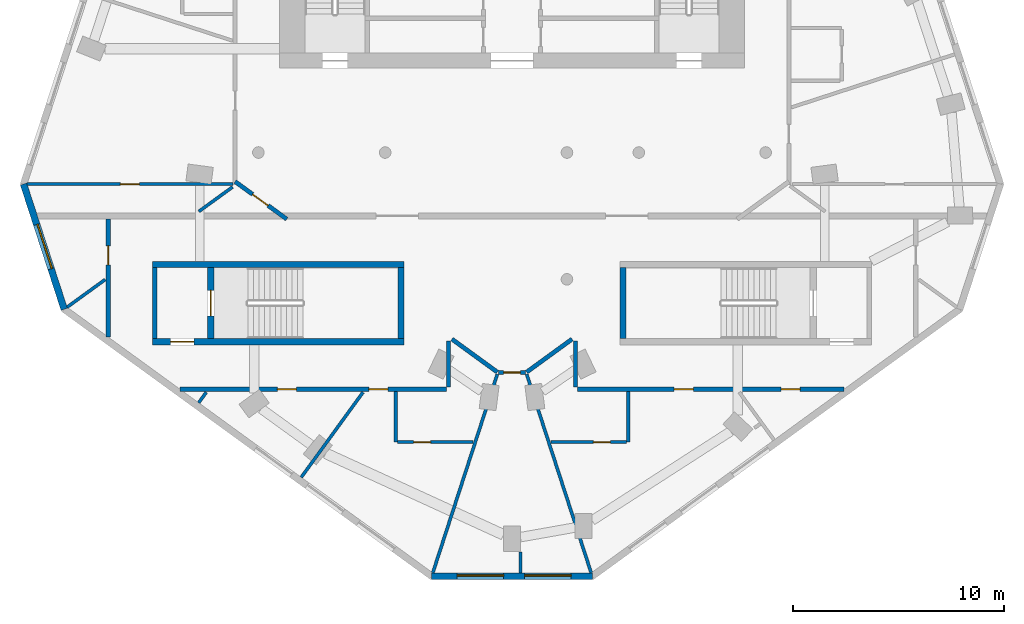
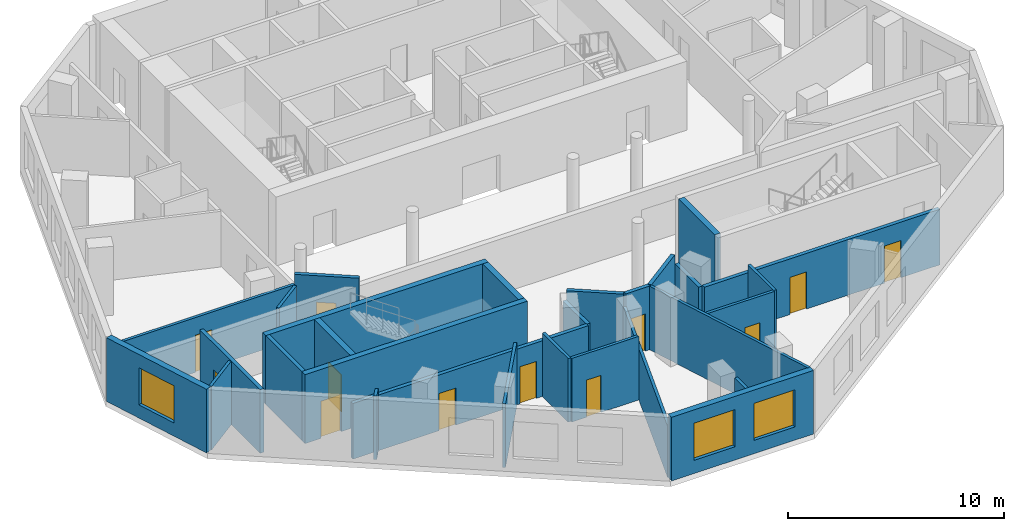
# One storey, part 2 of 8: 29 walls, 12 doors, 3 windows, 15 openings.
"""IFC4 building model written with IfcOpenShell, lengths in metres."""

import ifcopenshell
import ifcopenshell.guid

model = None  # the IFC model being written
_history = None  # IfcOwnerHistory: only IFC2X3 demands one
_inside = {}  # id of a spatial element -> (the spatial element, [elements in it])
_under = {}  # id of a project, library or spatial element -> (it, [spatial elements below it])
_declared = {}  # id of a project -> (the project, [libraries it declares])
_typed = {}  # id of a type object -> (the type object, [elements of that type])
_made_of = {}  # id of a material, layer set ... -> (it, [elements and type objects made of it])


def new_model(schema):
    """Start an empty IFC model of exactly this schema.

    Asked for "IFC4X3", IfcOpenShell would pick the latest addendum, in which some entities
    have other attributes; the version numbers below select the first issue.
    IFC2X3 requires an IfcOwnerHistory on every rooted entity: one is made here for all.
    """
    global model, _history
    if schema == "IFC4X3":
        model = ifcopenshell.file(schema_version=(4, 3, 0, 0))
    else:
        model = ifcopenshell.file(schema=schema)
    _inside.clear()
    _under.clear()
    _declared.clear()
    _typed.clear()
    _made_of.clear()
    _history = None
    if model.schema == "IFC2X3":
        org = make("IfcOrganization", Name="unknown")
        user = make(
            "IfcPersonAndOrganization",
            ThePerson=make("IfcPerson", FamilyName="unknown"),
            TheOrganization=org,
        )
        app = make(
            "IfcApplication",
            ApplicationDeveloper=org,
            Version="unknown",
            ApplicationFullName="unknown",
            ApplicationIdentifier="unknown",
        )
        _history = make(
            "IfcOwnerHistory",
            OwningUser=user,
            OwningApplication=app,
            ChangeAction="ADDED",
            CreationDate=0,
        )
    return model


def make(cls, **values):
    """One entity of the class cls with the attributes given. An attribute that is None is left unset."""
    return model.create_entity(
        cls, **{name: value for name, value in values.items() if value is not None}
    )


def rooted(cls, **values):
    """An entity with a GlobalId (a new one), such as an element, a storey or a relation."""
    return make(cls, GlobalId=ifcopenshell.guid.new(), OwnerHistory=_history, **values)


def si_unit(unit_type, name, prefix=None):
    """IfcSIUnit, for example si_unit("LENGTHUNIT", "METRE", prefix="MILLI")."""
    return make("IfcSIUnit", UnitType=unit_type, Prefix=prefix, Name=name)


def assignment(units):
    """IfcUnitAssignment: the units of a project."""
    return None if units is None else make("IfcUnitAssignment", Units=units)


def point(xyz):
    """IfcCartesianPoint."""
    return None if xyz is None else make("IfcCartesianPoint", Coordinates=xyz)


def direction(xyz):
    """IfcDirection."""
    return None if xyz is None else make("IfcDirection", DirectionRatios=xyz)


def frame(location, z_axis=None, x_axis=None):
    """IfcAxis2Placement3D, a coordinate frame: its origin and axes. An axis left out is left unset."""
    return make(
        "IfcAxis2Placement3D",
        Location=point(location),
        Axis=direction(z_axis),
        RefDirection=direction(x_axis),
    )


def frame_2d(location, x_axis=None):
    """IfcAxis2Placement2D, a coordinate frame in the plane: its origin and x axis."""
    return make(
        "IfcAxis2Placement2D", Location=point(location), RefDirection=direction(x_axis)
    )


def origin():
    """The frame at (0, 0, 0) with its axes left unset."""
    return frame((0.0, 0.0, 0.0))


def place(relative_to, where):
    """IfcLocalPlacement: puts the frame where relative to a parent placement (None: the world)."""
    return make(
        "IfcLocalPlacement", PlacementRelTo=relative_to, RelativePlacement=where
    )


def context(
    kind, dimensions, precision=None, world=None, true_north=None, identifier=None
):
    """IfcGeometricRepresentationContext, for example the 3D "Model" context."""
    return make(
        "IfcGeometricRepresentationContext",
        ContextIdentifier=identifier,
        ContextType=kind,
        CoordinateSpaceDimension=dimensions,
        Precision=precision,
        WorldCoordinateSystem=world,
        TrueNorth=true_north,
    )


def subcontext(parent, identifier, kind, view, scale=None):
    """IfcGeometricRepresentationSubContext, for example "Body" below "Model"."""
    return make(
        "IfcGeometricRepresentationSubContext",
        ContextIdentifier=identifier,
        ContextType=kind,
        ParentContext=parent,
        TargetScale=scale,
        TargetView=view,
    )


def project(units=None, contexts=None):
    """IfcProject with its units and contexts."""
    return rooted(
        "IfcProject",
        Name="project",
        RepresentationContexts=contexts,
        UnitsInContext=assignment(units),
    )


def spatial(cls, under=None, at=None, **own):
    """A site, building, storey or space (cls), placed at a placement, below another one or the project."""
    s = rooted(cls, ObjectPlacement=at, **own)
    if under is not None:
        _under.setdefault(under.id(), (under, []))[1].append(s)
    return s


def profile(cls, at=None, kind="AREA", **sizes):
    """A parametric profile (cls). Its sizes go by their IFC names, for example OverallWidth=200.0."""
    return make(cls, ProfileType=kind, Position=at, **sizes)


def rectangle(**sizes):
    """IfcRectangleProfileDef."""
    return profile("IfcRectangleProfileDef", **sizes)


def extrude(swept, where, along, depth):
    """IfcExtrudedAreaSolid: the profile swept, set in the frame where, extruded along a direction by depth."""
    return make(
        "IfcExtrudedAreaSolid",
        SweptArea=swept,
        Position=where,
        ExtrudedDirection=direction(along),
        Depth=depth,
    )


def shape(context_of_items, identifier, shape_type, items):
    """IfcShapeRepresentation: the items that make up one representation, for example the "Body"."""
    return make(
        "IfcShapeRepresentation",
        ContextOfItems=context_of_items,
        RepresentationIdentifier=identifier,
        RepresentationType=shape_type,
        Items=items,
    )


def material(Name=None, Category=None):
    """IfcMaterial."""
    return make("IfcMaterial", Name=Name, Category=Category)


def layer(
    of_material, thickness, ventilated=None, Name=None, Category=None, Priority=None
):
    """IfcMaterialLayer: one layer of a wall or slab, of a material (None: an air gap)."""
    return make(
        "IfcMaterialLayer",
        Material=of_material,
        LayerThickness=thickness,
        IsVentilated=ventilated,
        Name=Name,
        Category=Category,
        Priority=Priority,
    )


def layer_set(layers, Name=None):
    """IfcMaterialLayerSet."""
    return make("IfcMaterialLayerSet", MaterialLayers=layers, LayerSetName=Name)


def made_of(thing, what):
    """Note that an element or type object is made of a material, layer set ...; save() writes the relation."""
    if what is not None:
        _made_of.setdefault(what.id(), (what, []))[1].append(thing)
    return thing


def type_object(cls, material=None, **own):
    """A type object (cls), such as IfcWallType, which elements share."""
    return made_of(rooted(cls, **own), material)


def element(
    cls,
    number,
    at=None,
    inside=None,
    cuts=None,
    type_object=None,
    material=None,
    context=None,
    identifier="Body",
    shape_type=None,
    held_by="IfcProductDefinitionShape",
    body=None,
    shapes=None,
    **own,
):
    """One element of the class cls, such as IfcWall. Its Tag is "e" and its number.

    at: its placement. inside: the storey or other place that contains it. cuts: it is an
    opening in that element (IfcRelVoidsElement). A single representation is given by context,
    identifier, shape_type and body (its items); several are given by shapes. held_by: the class
    of the entity that holds the representations. save() writes the other relations.
    """
    e = rooted(cls, Tag="e%d" % number, ObjectPlacement=at, **own)
    if body is not None:
        shapes = [shape(context, identifier, shape_type, body)]
    if shapes is not None:
        e.Representation = make(held_by, Representations=shapes)
    if inside is not None:
        _inside.setdefault(inside.id(), (inside, []))[1].append(e)
    if cuts is not None:
        rooted(
            "IfcRelVoidsElement", RelatingBuildingElement=cuts, RelatedOpeningElement=e
        )
    if type_object is not None:
        _typed.setdefault(type_object.id(), (type_object, []))[1].append(e)
    return made_of(e, material)


def fill(opening, filler):
    """IfcRelFillsElement: the door or window that sits in an opening."""
    return rooted(
        "IfcRelFillsElement",
        RelatingOpeningElement=opening,
        RelatedBuildingElement=filler,
    )


def aggregate(whole, parts):
    """IfcRelAggregates: a whole, such as a stair, and the parts it consists of."""
    return rooted("IfcRelAggregates", RelatingObject=whole, RelatedObjects=parts)


def save(model, path):
    """Write the relations noted so far, then the file.

    IfcRelAggregates (storeys below a building ...), IfcRelContainedInSpatialStructure (elements
    in a storey), IfcRelDefinesByType, IfcRelAssociatesMaterial and IfcRelDeclares: one each for
    every whole, place, type object, material and project.
    """
    for whole, parts in _under.values():
        aggregate(whole, parts)
    for where, things in _inside.values():
        rooted(
            "IfcRelContainedInSpatialStructure",
            RelatedElements=things,
            RelatingStructure=where,
        )
    for kind, things in _typed.values():
        rooted("IfcRelDefinesByType", RelatedObjects=things, RelatingType=kind)
    for what, things in _made_of.values():
        rooted("IfcRelAssociatesMaterial", RelatedObjects=things, RelatingMaterial=what)
    for by, libraries in _declared.values():
        rooted("IfcRelDeclares", RelatingContext=by, RelatedDefinitions=libraries)
    model.write(path)


model = new_model("IFC4")

# Units and contexts
model_context = context("Model", 3, precision=1e-05, world=origin(), true_north=direction((0.0, 1.0)))
body_context = subcontext(model_context, "Body", "Model", "MODEL_VIEW")
ifc_project = project(units=[si_unit("LENGTHUNIT", "METRE"), si_unit("AREAUNIT", "SQUARE_METRE"), si_unit("VOLUMEUNIT", "CUBIC_METRE"), si_unit("PLANEANGLEUNIT", "RADIAN"), si_unit("MASSUNIT", "GRAM", prefix="KILO")], contexts=[model_context])

# Site, building, storey
site_placement = place(None, origin())
site = spatial("IfcSite", under=ifc_project, at=site_placement, CompositionType="ELEMENT")
building_placement = place(site_placement, origin())
building = spatial("IfcBuilding", under=site, at=building_placement, Name="White Candle Pilgrim Tower", CompositionType="ELEMENT")
storey_placement = place(building_placement, frame((0.0, 0.0, 279.5)))
storey = spatial("IfcBuildingStorey", under=building, at=storey_placement, Name="L66", CompositionType="ELEMENT", Elevation=279.5)

# Wall
ifc_material_1 = material(Name="Concrete C50/60", Category="concrete")
ifc_layer_1 = layer(ifc_material_1, 0.199951171875)
ifc_layer_set_1 = layer_set([ifc_layer_1], Name="Core wall 200 mm Concrete C50/60")
wall_type_1 = type_object("IfcWallType", Name="Core wall 200 mm Concrete C50/60", PredefinedType="SHEAR", material=ifc_layer_set_1)
wall_1_placement = place(storey_placement, frame((53.10009765625, 58.199951171875, 0.0), z_axis=(0.0, 0.0, 1.0), x_axis=(0.0, 1.0, 0.0)))
element("IfcWall", 1, at=wall_1_placement, inside=storey, type_object=wall_type_1, Name="WL-L66-C03", PredefinedType="SHEAR", context=body_context, shape_type="SweptSolid", body=[
    extrude(rectangle(XDim=3.35009765625, YDim=0.199951171875, at=frame_2d((1.675048828125, 0.0))), origin(), (0.0, 0.0, 1.0), 3.89990234375),
])

# Wall, opening, door
ifc_material_2 = material(Name="Gypsum board on steel studs", Category="steel")
ifc_layer_2 = layer(ifc_material_2, 0.199951171875)
ifc_layer_set_2 = layer_set([ifc_layer_2], Name="Corridor wall 200 mm EI 45")
wall_type_2 = type_object("IfcWallType", Name="Corridor wall 200 mm EI 45", PredefinedType="PARTITIONING", material=ifc_layer_set_2)
wall_2_placement = place(storey_placement, frame((59.342041015625, 63.85009765625, 0.0), z_axis=(0.0, 0.0, 1.0), x_axis=(-0.809040258859, 0.587753230144, 0.0)))
wall_2 = element("IfcWall", 2, at=wall_2_placement, inside=storey, type_object=wall_type_2, Name="WL-L66-P002", PredefinedType="PARTITIONING", context=body_context, shape_type="SweptSolid", body=[
    extrude(rectangle(XDim=3.0185546875, YDim=0.199951171875, at=frame_2d((1.50927734375, 0.0))), origin(), (0.0, 0.0, 1.0), 3.60009765625),
])
opening_1_placement = place(wall_2_placement, frame((1.092041015625, 0.0, 0.0)))
opening_1 = element("IfcOpeningElement", 3, at=opening_1_placement, cuts=wall_2, Name="Opening T20-123", PredefinedType="OPENING", context=body_context, shape_type="SweptSolid", body=[
    extrude(rectangle(XDim=0.89990234375, YDim=2.10009765625, at=frame_2d((0.449951171875, 1.050048828125))), frame((0.0, 0.10986328125, 0.0), z_axis=(0.0, -1.0, 0.0), x_axis=(1.0, 0.0, 0.0)), (0.0, 0.0, 1.0), 0.219970703125),
])
ifc_material_3 = material(Name="Steel door leaf", Category="steel")
door_type_1 = type_object("IfcDoorType", Name="Fire door 900 x 2100 EI 30", OperationType="NOTDEFINED", PredefinedType="DOOR", material=ifc_material_3)
door_1_placement = place(opening_1_placement, origin())
door_1 = element("IfcDoor", 4, at=door_1_placement, inside=storey, type_object=door_type_1, Name="Door T20-123", OperationType="SINGLE_SWING_LEFT", OverallHeight=2.10009765625, OverallWidth=0.89990234375, PredefinedType="DOOR", context=body_context, shape_type="SweptSolid", body=[
    extrude(rectangle(XDim=0.89990234375, YDim=2.10009765625, at=frame_2d((0.449951171875, 1.050048828125))), frame((0.0, 0.02490234375, 0.0), z_axis=(0.0, -1.0, 0.0), x_axis=(1.0, 0.0, 0.0)), (0.0, 0.0, 1.0), 0.050048828125),
])
fill(opening_1, door_1)

# Wall, openings, doors
wall_3_placement = place(storey_placement, frame((85.706298828125, 55.800048828125, 0.0), z_axis=(0.0, 0.0, 1.0), x_axis=(-1.0, 0.0, 0.0)))
wall_3 = element("IfcWall", 5, at=wall_3_placement, inside=storey, type_object=wall_type_2, Name="WL-L66-P007", PredefinedType="PARTITIONING", context=body_context, shape_type="SweptSolid", body=[
    extrude(rectangle(XDim=12.606201171875, YDim=0.199951171875, at=frame_2d((6.30322265625, 0.0))), origin(), (0.0, 0.0, 1.0), 3.14990234375),
])
opening_2_placement = place(wall_3_placement, frame((7.1298828125, 0.0, 0.0)))
opening_2 = element("IfcOpeningElement", 6, at=opening_2_placement, cuts=wall_3, Name="Opening T20-107", PredefinedType="OPENING", context=body_context, shape_type="SweptSolid", body=[
    extrude(rectangle(XDim=0.89990234375, YDim=2.10009765625, at=frame_2d((0.449951171875, 1.050048828125))), frame((0.0, 0.10986328125, 0.0), z_axis=(0.0, -1.0, 0.0), x_axis=(1.0, 0.0, 0.0)), (0.0, 0.0, 1.0), 0.219970703125),
])
opening_3_placement = place(wall_3_placement, frame((2.076904296875, 0.0, 0.0)))
opening_3 = element("IfcOpeningElement", 7, at=opening_3_placement, cuts=wall_3, Name="Opening T20-108", PredefinedType="OPENING", context=body_context, shape_type="SweptSolid", body=[
    extrude(rectangle(XDim=0.89990234375, YDim=2.10009765625, at=frame_2d((0.449951171875, 1.050048828125))), frame((0.0, 0.10986328125, 0.0), z_axis=(0.0, -1.0, 0.0), x_axis=(1.0, 0.0, 0.0)), (0.0, 0.0, 1.0), 0.219970703125),
])
door_2_placement = place(opening_2_placement, origin())
door_2 = element("IfcDoor", 8, at=door_2_placement, inside=storey, type_object=door_type_1, Name="Door T20-107", OperationType="SINGLE_SWING_LEFT", OverallHeight=2.10009765625, OverallWidth=0.89990234375, PredefinedType="DOOR", context=body_context, shape_type="SweptSolid", body=[
    extrude(rectangle(XDim=0.89990234375, YDim=2.10009765625, at=frame_2d((0.449951171875, 1.050048828125))), frame((0.0, 0.02490234375, 0.0), z_axis=(0.0, -1.0, 0.0), x_axis=(1.0, 0.0, 0.0)), (0.0, 0.0, 1.0), 0.050048828125),
])
fill(opening_2, door_2)
door_3_placement = place(opening_3_placement, origin())
door_3 = element("IfcDoor", 9, at=door_3_placement, inside=storey, type_object=door_type_1, Name="Door T20-108", OperationType="SINGLE_SWING_RIGHT", OverallHeight=2.10009765625, OverallWidth=0.89990234375, PredefinedType="DOOR", context=body_context, shape_type="SweptSolid", body=[
    extrude(rectangle(XDim=0.89990234375, YDim=2.10009765625, at=frame_2d((0.449951171875, 1.050048828125))), frame((0.0, 0.02490234375, 0.0), z_axis=(0.0, -1.0, 0.0), x_axis=(1.0, 0.0, 0.0)), (0.0, 0.0, 1.0), 0.050048828125),
])
fill(opening_3, door_3)

# Walls
wall_4_placement = place(storey_placement, frame((73.0, 55.89990234375, 0.0), z_axis=(0.0, 0.0, 1.0), x_axis=(0.0, 1.0, 0.0)))
element("IfcWall", 10, at=wall_4_placement, inside=storey, type_object=wall_type_2, Name="WL-L66-P008", PredefinedType="PARTITIONING", context=body_context, shape_type="SweptSolid", body=[
    extrude(rectangle(XDim=2.190185546875, YDim=0.199951171875, at=frame_2d((1.09521484375, 0.0))), origin(), (0.0, 0.0, 1.0), 3.10009765625),
])
wall_5_placement = place(storey_placement, frame((72.84130859375, 58.1708984375, 0.0), z_axis=(0.0, 0.0, 1.0), x_axis=(-0.809034251868, -0.587761498657, 0.0)))
element("IfcWall", 11, at=wall_5_placement, inside=storey, type_object=wall_type_2, Name="WL-L66-P009", PredefinedType="PARTITIONING", context=body_context, shape_type="SweptSolid", body=[
    extrude(rectangle(XDim=2.654541015625, YDim=0.199951171875, at=frame_2d((1.3271484375, 0.0))), origin(), (0.0, 0.0, 1.0), 3.60009765625),
])

# Wall, opening, door
wall_6_placement = place(storey_placement, frame((70.635009765625, 56.591552734375, 0.0), z_axis=(0.0, 0.0, 1.0), x_axis=(-1.0, 0.0, 0.0)))
wall_6 = element("IfcWall", 12, at=wall_6_placement, inside=storey, type_object=wall_type_2, Name="WL-L66-P010", PredefinedType="PARTITIONING", context=body_context, shape_type="SweptSolid", body=[
    extrude(rectangle(XDim=1.27001953125, YDim=0.199951171875, at=frame_2d((0.635009765625, 0.0))), origin(), (0.0, 0.0, 1.0), 3.60009765625),
])
opening_4_placement = place(wall_6_placement, frame((0.23486328125, 0.0, 0.0)))
opening_4 = element("IfcOpeningElement", 13, at=opening_4_placement, cuts=wall_6, Name="Opening T20-105", PredefinedType="OPENING", context=body_context, shape_type="SweptSolid", body=[
    extrude(rectangle(XDim=0.800048828125, YDim=2.10009765625, at=frame_2d((0.39990234375, 1.050048828125))), frame((0.0, 0.10986328125, 0.0), z_axis=(0.0, -1.0, 0.0), x_axis=(1.0, 0.0, 0.0)), (0.0, 0.0, 1.0), 0.219970703125),
])
door_type_2 = type_object("IfcDoorType", Name="Fire door 800 x 2100 EI 30", OperationType="NOTDEFINED", PredefinedType="DOOR", material=ifc_material_3)
door_4_placement = place(opening_4_placement, origin())
door_4 = element("IfcDoor", 14, at=door_4_placement, inside=storey, type_object=door_type_2, Name="Door T20-105", OperationType="SINGLE_SWING_LEFT", OverallHeight=2.10009765625, OverallWidth=0.800048828125, PredefinedType="DOOR", context=body_context, shape_type="SweptSolid", body=[
    extrude(rectangle(XDim=0.800048828125, YDim=2.10009765625, at=frame_2d((0.39990234375, 1.050048828125))), frame((0.0, 0.02490234375, 0.0), z_axis=(0.0, -1.0, 0.0), x_axis=(1.0, 0.0, 0.0)), (0.0, 0.0, 1.0), 0.050048828125),
])
fill(opening_4, door_4)

# Walls
wall_7_placement = place(storey_placement, frame((69.306396484375, 56.610595703125, 0.0), z_axis=(0.0, 0.0, 1.0), x_axis=(-0.809034251868, 0.587761498657, 0.0)))
element("IfcWall", 15, at=wall_7_placement, inside=storey, type_object=wall_type_2, Name="WL-L66-P011", PredefinedType="PARTITIONING", context=body_context, shape_type="SweptSolid", body=[
    extrude(rectangle(XDim=2.654541015625, YDim=0.199951171875, at=frame_2d((1.3271484375, 0.0))), origin(), (0.0, 0.0, 1.0), 3.60009765625),
])
wall_8_placement = place(storey_placement, frame((67.0, 58.090087890625, 0.0), z_axis=(0.0, 0.0, 1.0), x_axis=(0.0, -1.0, 0.0)))
element("IfcWall", 16, at=wall_8_placement, inside=storey, type_object=wall_type_2, Name="WL-L66-P012", PredefinedType="PARTITIONING", context=body_context, shape_type="SweptSolid", body=[
    extrude(rectangle(XDim=2.190185546875, YDim=0.199951171875, at=frame_2d((1.09521484375, 0.0))), origin(), (0.0, 0.0, 1.0), 3.10009765625),
])

# Wall, openings, doors
wall_9_placement = place(storey_placement, frame((66.89990234375, 55.800048828125, 0.0), z_axis=(0.0, 0.0, 1.0), x_axis=(-1.0, 0.0, 0.0)))
wall_9 = element("IfcWall", 17, at=wall_9_placement, inside=storey, type_object=wall_type_2, Name="WL-L66-P013", PredefinedType="PARTITIONING", context=body_context, shape_type="SweptSolid", body=[
    extrude(rectangle(XDim=12.606201171875, YDim=0.199951171875, at=frame_2d((6.30322265625, 0.0))), origin(), (0.0, 0.0, 1.0), 3.14990234375),
])
opening_5_placement = place(wall_9_placement, frame((7.1025390625, 0.0, 0.0)))
opening_5 = element("IfcOpeningElement", 18, at=opening_5_placement, cuts=wall_9, Name="Opening T20-102", PredefinedType="OPENING", context=body_context, shape_type="SweptSolid", body=[
    extrude(rectangle(XDim=0.89990234375, YDim=2.10009765625, at=frame_2d((0.449951171875, 1.050048828125))), frame((0.0, 0.10986328125, 0.0), z_axis=(0.0, -1.0, 0.0), x_axis=(1.0, 0.0, 0.0)), (0.0, 0.0, 1.0), 0.219970703125),
])
opening_6_placement = place(wall_9_placement, frame((2.7744140625, 0.0, 0.0)))
opening_6 = element("IfcOpeningElement", 19, at=opening_6_placement, cuts=wall_9, Name="Opening T20-104", PredefinedType="OPENING", context=body_context, shape_type="SweptSolid", body=[
    extrude(rectangle(XDim=0.89990234375, YDim=2.10009765625, at=frame_2d((0.449951171875, 1.050048828125))), frame((0.0, 0.10986328125, 0.0), z_axis=(0.0, -1.0, 0.0), x_axis=(1.0, 0.0, 0.0)), (0.0, 0.0, 1.0), 0.219970703125),
])
door_5_placement = place(opening_5_placement, origin())
door_5 = element("IfcDoor", 20, at=door_5_placement, inside=storey, type_object=door_type_1, Name="Door T20-102", OperationType="SINGLE_SWING_RIGHT", OverallHeight=2.10009765625, OverallWidth=0.89990234375, PredefinedType="DOOR", context=body_context, shape_type="SweptSolid", body=[
    extrude(rectangle(XDim=0.89990234375, YDim=2.10009765625, at=frame_2d((0.449951171875, 1.050048828125))), frame((0.0, 0.02490234375, 0.0), z_axis=(0.0, -1.0, 0.0), x_axis=(1.0, 0.0, 0.0)), (0.0, 0.0, 1.0), 0.050048828125),
])
fill(opening_5, door_5)
door_6_placement = place(opening_6_placement, origin())
door_6 = element("IfcDoor", 21, at=door_6_placement, inside=storey, type_object=door_type_1, Name="Door T20-104", OperationType="SINGLE_SWING_RIGHT", OverallHeight=2.10009765625, OverallWidth=0.89990234375, PredefinedType="DOOR", context=body_context, shape_type="SweptSolid", body=[
    extrude(rectangle(XDim=0.89990234375, YDim=2.10009765625, at=frame_2d((0.449951171875, 1.050048828125))), frame((0.0, 0.02490234375, 0.0), z_axis=(0.0, -1.0, 0.0), x_axis=(1.0, 0.0, 0.0)), (0.0, 0.0, 1.0), 0.050048828125),
])
fill(opening_6, door_6)

# Wall, opening, door
wall_10_placement = place(storey_placement, frame((50.89990234375, 58.265625, 0.0), z_axis=(0.0, 0.0, 1.0), x_axis=(0.0, 1.0, 0.0)))
wall_10 = element("IfcWall", 22, at=wall_10_placement, inside=storey, type_object=wall_type_2, Name="WL-L66-P014", PredefinedType="PARTITIONING", context=body_context, shape_type="SweptSolid", body=[
    extrude(rectangle(XDim=5.58447265625, YDim=0.199951171875, at=frame_2d((2.792236328125, 0.0))), origin(), (0.0, 0.0, 1.0), 3.60009765625),
])
opening_7_placement = place(wall_10_placement, frame((3.41943359375, 0.0, 0.0)))
opening_7 = element("IfcOpeningElement", 23, at=opening_7_placement, cuts=wall_10, Name="Opening T20-113", PredefinedType="OPENING", context=body_context, shape_type="SweptSolid", body=[
    extrude(rectangle(XDim=0.89990234375, YDim=2.10009765625, at=frame_2d((0.449951171875, 1.050048828125))), frame((0.0, 0.10986328125, 0.0), z_axis=(0.0, -1.0, 0.0), x_axis=(1.0, 0.0, 0.0)), (0.0, 0.0, 1.0), 0.219970703125),
])
door_7_placement = place(opening_7_placement, origin())
door_7 = element("IfcDoor", 24, at=door_7_placement, inside=storey, type_object=door_type_1, Name="Door T20-113", OperationType="SINGLE_SWING_LEFT", OverallHeight=2.10009765625, OverallWidth=0.89990234375, PredefinedType="DOOR", context=body_context, shape_type="SweptSolid", body=[
    extrude(rectangle(XDim=0.89990234375, YDim=2.10009765625, at=frame_2d((0.449951171875, 1.050048828125))), frame((0.0, 0.02490234375, 0.0), z_axis=(0.0, -1.0, 0.0), x_axis=(1.0, 0.0, 0.0)), (0.0, 0.0, 1.0), 0.050048828125),
])
fill(opening_7, door_7)

# Wall, opening, window
ifc_material_4 = material(Name="Precast concrete C40/50", Category="concrete")
ifc_layer_3 = layer(ifc_material_4, 0.320068359375)
ifc_layer_set_3 = layer_set([ifc_layer_3], Name="Facade wall EW1 precast concrete C40/50 pier wall with timber-lined reveals")
wall_type_3 = type_object("IfcWallType", Name="Facade wall EW1 precast concrete C40/50 pier wall with timber-lined reveals", PredefinedType="SOLIDWALL", material=ifc_layer_set_3)
wall_11_placement = place(storey_placement, frame((46.8896484375, 65.50634765625, 0.0), z_axis=(0.0, 0.0, 1.0), x_axis=(0.309021364513, -0.95105509634, 0.0)))
wall_11 = element("IfcWall", 25, at=wall_11_placement, inside=storey, type_object=wall_type_3, Name="Facade wall L66 W chamfer", PredefinedType="SOLIDWALL", context=body_context, shape_type="SweptSolid", body=[
    extrude(rectangle(XDim=6.22802734375, YDim=0.320068359375, at=frame_2d((3.114013671875, 0.0))), origin(), (0.0, 0.0, 1.0), 3.60009765625),
])
opening_8_placement = place(wall_11_placement, frame((2.013916015625, 0.0, 0.75)))
opening_8 = element("IfcOpeningElement", 26, at=opening_8_placement, cuts=wall_11, Name="Opening W4", PredefinedType="OPENING", context=body_context, shape_type="SweptSolid", body=[
    extrude(rectangle(XDim=2.199951171875, YDim=2.10009765625, at=frame_2d((1.10009765625, 1.050048828125))), frame((0.0, 0.169921875, 0.0), z_axis=(0.0, -1.0, 0.0), x_axis=(1.0, 0.0, 0.0)), (0.0, 0.0, 1.0), 0.340087890625),
])
ifc_material_5 = material(Name="Timber frame with triple glazing", Category="wood")
window_type = type_object("IfcWindowType", Name="Window W4 2200x2100 timber frame triple glazing", PartitioningType="SINGLE_PANEL", PredefinedType="WINDOW", material=ifc_material_5)
window_1_placement = place(opening_8_placement, origin())
window_1 = element("IfcWindow", 27, at=window_1_placement, inside=storey, type_object=window_type, Name="Window W4 L66 W chamfer 1", OverallHeight=2.10009765625, OverallWidth=2.199951171875, PartitioningType="SINGLE_PANEL", PredefinedType="WINDOW", context=body_context, shape_type="SweptSolid", body=[
    extrude(rectangle(XDim=2.199951171875, YDim=2.10009765625, at=frame_2d((1.10009765625, 1.050048828125))), frame((0.0, 0.070068359375, 0.0), z_axis=(0.0, -1.0, 0.0), x_axis=(1.0, 0.0, 0.0)), (0.0, 0.0, 1.0), 0.06005859375),
])
fill(opening_8, window_1)

# Wall, openings, windows
wall_12_placement = place(storey_placement, frame((66.200439453125, 46.951416015625, 0.0), z_axis=(0.0, 0.0, 1.0), x_axis=(1.0, 0.0, 0.0)))
wall_12 = element("IfcWall", 28, at=wall_12_placement, inside=storey, type_object=wall_type_3, Name="Facade wall L66 S chamfer", PredefinedType="SOLIDWALL", context=body_context, shape_type="SweptSolid", body=[
    extrude(rectangle(XDim=7.59912109375, YDim=0.320068359375, at=frame_2d((3.799560546875, 0.0))), origin(), (0.0, 0.0, 1.0), 3.60009765625),
])
opening_9_placement = place(wall_12_placement, frame((1.19970703125, 0.0, 0.75)))
opening_9 = element("IfcOpeningElement", 29, at=opening_9_placement, cuts=wall_12, Name="Opening W4", PredefinedType="OPENING", context=body_context, shape_type="SweptSolid", body=[
    extrude(rectangle(XDim=2.199951171875, YDim=2.10009765625, at=frame_2d((1.10009765625, 1.050048828125))), frame((0.0, 0.169921875, 0.0), z_axis=(0.0, -1.0, 0.0), x_axis=(1.0, 0.0, 0.0)), (0.0, 0.0, 1.0), 0.340087890625),
])
opening_10_placement = place(wall_12_placement, frame((4.399658203125, 0.0, 0.75)))
opening_10 = element("IfcOpeningElement", 30, at=opening_10_placement, cuts=wall_12, Name="Opening W4", PredefinedType="OPENING", context=body_context, shape_type="SweptSolid", body=[
    extrude(rectangle(XDim=2.199951171875, YDim=2.10009765625, at=frame_2d((1.10009765625, 1.050048828125))), frame((0.0, 0.169921875, 0.0), z_axis=(0.0, -1.0, 0.0), x_axis=(1.0, 0.0, 0.0)), (0.0, 0.0, 1.0), 0.340087890625),
])
window_2_placement = place(opening_9_placement, origin())
window_2 = element("IfcWindow", 31, at=window_2_placement, inside=storey, type_object=window_type, Name="Window W4 L66 S chamfer 1", OverallHeight=2.10009765625, OverallWidth=2.199951171875, PartitioningType="SINGLE_PANEL", PredefinedType="WINDOW", context=body_context, shape_type="SweptSolid", body=[
    extrude(rectangle(XDim=2.199951171875, YDim=2.10009765625, at=frame_2d((1.10009765625, 1.050048828125))), frame((0.0, 0.070068359375, 0.0), z_axis=(0.0, -1.0, 0.0), x_axis=(1.0, 0.0, 0.0)), (0.0, 0.0, 1.0), 0.06005859375),
])
fill(opening_9, window_2)
window_3_placement = place(opening_10_placement, origin())
window_3 = element("IfcWindow", 32, at=window_3_placement, inside=storey, type_object=window_type, Name="Window W4 L66 S chamfer 2", OverallHeight=2.10009765625, OverallWidth=2.199951171875, PartitioningType="SINGLE_PANEL", PredefinedType="WINDOW", context=body_context, shape_type="SweptSolid", body=[
    extrude(rectangle(XDim=2.199951171875, YDim=2.10009765625, at=frame_2d((1.10009765625, 1.050048828125))), frame((0.0, 0.070068359375, 0.0), z_axis=(0.0, -1.0, 0.0), x_axis=(1.0, 0.0, 0.0)), (0.0, 0.0, 1.0), 0.06005859375),
])
fill(opening_10, window_3)

# Wall, opening, door
ifc_layer_4 = layer(ifc_material_2, 0.14990234375)
ifc_layer_set_4 = layer_set([ifc_layer_4], Name="Partition 150 mm EI 60")
wall_type_4 = type_object("IfcWallType", Name="Partition 150 mm EI 60", PredefinedType="PARTITIONING", material=ifc_layer_set_4)
wall_13_placement = place(storey_placement, frame((47.05810546875, 65.506103515625, 0.0), z_axis=(0.0, 0.0, 1.0), x_axis=(1.0, 0.0, 0.0)))
wall_13 = element("IfcWall", 33, at=wall_13_placement, inside=storey, type_object=wall_type_4, Name="WL-L66-P016", PredefinedType="PARTITIONING", context=body_context, shape_type="SweptSolid", body=[
    extrude(rectangle(XDim=9.741943359375, YDim=0.14990234375, at=frame_2d((4.87109375, 0.0))), origin(), (0.0, 0.0, 1.0), 3.10009765625),
])
opening_11_placement = place(wall_13_placement, frame((4.4130859375, 0.0, 0.0)))
opening_11 = element("IfcOpeningElement", 34, at=opening_11_placement, cuts=wall_13, Name="Opening T20-124", PredefinedType="OPENING", context=body_context, shape_type="SweptSolid", body=[
    extrude(rectangle(XDim=0.89990234375, YDim=2.10009765625, at=frame_2d((0.449951171875, 1.050048828125))), frame((0.0, 0.0849609375, 0.0), z_axis=(0.0, -1.0, 0.0), x_axis=(1.0, 0.0, 0.0)), (0.0, 0.0, 1.0), 0.169921875),
])
door_8_placement = place(opening_11_placement, frame((0.89990234375, 0.0, 0.0), z_axis=(0.0, 0.0, 1.0), x_axis=(-1.0, 0.0, 0.0)))
door_8 = element("IfcDoor", 35, at=door_8_placement, inside=storey, type_object=door_type_1, Name="Door T20-124", OperationType="SINGLE_SWING_LEFT", OverallHeight=2.10009765625, OverallWidth=0.89990234375, PredefinedType="DOOR", context=body_context, shape_type="SweptSolid", body=[
    extrude(rectangle(XDim=0.89990234375, YDim=2.10009765625, at=frame_2d((0.449951171875, 1.050048828125))), frame((0.0, 0.02490234375, 0.0), z_axis=(0.0, -1.0, 0.0), x_axis=(1.0, 0.0, 0.0)), (0.0, 0.0, 1.0), 0.050048828125),
])
fill(opening_11, door_8)

# Walls
wall_14_placement = place(storey_placement, frame((48.9501953125, 59.68212890625, 0.0), z_axis=(0.0, 0.0, 1.0), x_axis=(0.809043446495, 0.58774884235, 0.0)))
element("IfcWall", 36, at=wall_14_placement, inside=storey, type_object=wall_type_4, Name="WL-L66-P017", PredefinedType="PARTITIONING", context=body_context, shape_type="SweptSolid", body=[
    extrude(rectangle(XDim=2.23193359375, YDim=0.14990234375, at=frame_2d((1.115966796875, 0.0))), origin(), (0.0, 0.0, 1.0), 3.60009765625),
])
wall_15_placement = place(storey_placement, frame((55.183349609375, 64.210693359375, 0.0), z_axis=(0.0, 0.0, 1.0), x_axis=(0.80900885131, 0.587796460097, 0.0)))
element("IfcWall", 37, at=wall_15_placement, inside=storey, type_object=wall_type_4, Name="WL-L66-P018", PredefinedType="PARTITIONING", context=body_context, shape_type="SweptSolid", body=[
    extrude(rectangle(XDim=1.973388671875, YDim=0.14990234375, at=frame_2d((0.98681640625, 0.0))), origin(), (0.0, 0.0, 1.0), 3.10009765625),
])
wall_16_placement = place(storey_placement, frame((66.25244140625, 47.111572265625, 0.0), z_axis=(0.0, 0.0, 1.0), x_axis=(0.309022391452, 0.951054762661, 0.0)))
element("IfcWall", 38, at=wall_16_placement, inside=storey, type_object=wall_type_4, Name="WL-L66-P019", PredefinedType="PARTITIONING", context=body_context, shape_type="SweptSolid", body=[
    extrude(rectangle(XDim=9.882568359375, YDim=0.14990234375, at=frame_2d((4.94140625, 0.0))), origin(), (0.0, 0.0, 1.0), 2.89990234375),
])
wall_17_placement = place(storey_placement, frame((73.74755859375, 47.111572265625, 0.0), z_axis=(0.0, 0.0, 1.0), x_axis=(-0.309022391452, 0.951054762661, 0.0)))
element("IfcWall", 39, at=wall_17_placement, inside=storey, type_object=wall_type_4, Name="WL-L66-P020", PredefinedType="PARTITIONING", context=body_context, shape_type="SweptSolid", body=[
    extrude(rectangle(XDim=9.882568359375, YDim=0.14990234375, at=frame_2d((4.94140625, 0.0))), origin(), (0.0, 0.0, 1.0), 3.60009765625),
])
wall_18_placement = place(storey_placement, frame((55.17431640625, 55.16015625, 0.0), z_axis=(0.0, 0.0, 1.0), x_axis=(0.587626737585, 0.809132138328, 0.0)))
element("IfcWall", 40, at=wall_18_placement, inside=storey, type_object=wall_type_4, Name="WL-L66-P029", PredefinedType="PARTITIONING", context=body_context, shape_type="SweptSolid", body=[
    extrude(rectangle(XDim=0.61279296875, YDim=0.14990234375, at=frame_2d((0.306396484375, 0.0))), origin(), (0.0, 0.0, 1.0), 3.60009765625),
])
wall_19_placement = place(storey_placement, frame((60.0283203125, 51.633544921875, 0.0), z_axis=(0.0, 0.0, 1.0), x_axis=(0.587800848895, 0.80900566255, 0.0)))
element("IfcWall", 41, at=wall_19_placement, inside=storey, type_object=wall_type_4, Name="WL-L66-P030", PredefinedType="PARTITIONING", context=body_context, shape_type="SweptSolid", body=[
    extrude(rectangle(XDim=4.97216796875, YDim=0.14990234375, at=frame_2d((2.486083984375, 0.0))), origin(), (0.0, 0.0, 1.0), 3.60009765625),
])
wall_20_placement = place(storey_placement, frame((64.5, 55.699951171875, 0.0), z_axis=(0.0, 0.0, 1.0), x_axis=(0.0, -1.0, 0.0)))
element("IfcWall", 42, at=wall_20_placement, inside=storey, type_object=wall_type_4, Name="WL-L66-P031", PredefinedType="PARTITIONING", context=body_context, shape_type="SweptSolid", body=[
    extrude(rectangle(XDim=2.39990234375, YDim=0.14990234375, at=frame_2d((1.199951171875, 0.0))), origin(), (0.0, 0.0, 1.0), 3.60009765625),
])

# Wall, opening, door
wall_21_placement = place(storey_placement, frame((68.159912109375, 53.300048828125, 0.0), z_axis=(0.0, 0.0, 1.0), x_axis=(-1.0, 0.0, 0.0)))
wall_21 = element("IfcWall", 43, at=wall_21_placement, inside=storey, type_object=wall_type_4, Name="WL-L66-P032", PredefinedType="PARTITIONING", context=body_context, shape_type="SweptSolid", body=[
    extrude(rectangle(XDim=3.5849609375, YDim=0.14990234375, at=frame_2d((1.79248046875, 0.0))), origin(), (0.0, 0.0, 1.0), 3.60009765625),
])
opening_12_placement = place(wall_21_placement, frame((2.010009765625, 0.0, 0.0)))
opening_12 = element("IfcOpeningElement", 44, at=opening_12_placement, cuts=wall_21, Name="Opening T20-103", PredefinedType="OPENING", context=body_context, shape_type="SweptSolid", body=[
    extrude(rectangle(XDim=0.800048828125, YDim=2.10009765625, at=frame_2d((0.39990234375, 1.050048828125))), frame((0.0, 0.0849609375, 0.0), z_axis=(0.0, -1.0, 0.0), x_axis=(1.0, 0.0, 0.0)), (0.0, 0.0, 1.0), 0.169921875),
])
door_9_placement = place(opening_12_placement, origin())
door_9 = element("IfcDoor", 45, at=door_9_placement, inside=storey, type_object=door_type_2, Name="Door T20-103", OperationType="SINGLE_SWING_LEFT", OverallHeight=2.10009765625, OverallWidth=0.800048828125, PredefinedType="DOOR", context=body_context, shape_type="SweptSolid", body=[
    extrude(rectangle(XDim=0.800048828125, YDim=2.10009765625, at=frame_2d((0.39990234375, 1.050048828125))), frame((0.0, 0.02490234375, 0.0), z_axis=(0.0, -1.0, 0.0), x_axis=(1.0, 0.0, 0.0)), (0.0, 0.0, 1.0), 0.050048828125),
])
fill(opening_12, door_9)

# Wall
wall_22_placement = place(storey_placement, frame((75.5, 55.699951171875, 0.0), z_axis=(0.0, 0.0, 1.0), x_axis=(0.0, -1.0, 0.0)))
element("IfcWall", 46, at=wall_22_placement, inside=storey, type_object=wall_type_4, Name="WL-L66-P034", PredefinedType="PARTITIONING", context=body_context, shape_type="SweptSolid", body=[
    extrude(rectangle(XDim=2.39990234375, YDim=0.14990234375, at=frame_2d((1.199951171875, 0.0))), origin(), (0.0, 0.0, 1.0), 3.60009765625),
])

# Wall, opening, door
wall_23_placement = place(storey_placement, frame((71.840087890625, 53.300048828125, 0.0), z_axis=(0.0, 0.0, 1.0), x_axis=(1.0, 0.0, 0.0)))
wall_23 = element("IfcWall", 47, at=wall_23_placement, inside=storey, type_object=wall_type_4, Name="WL-L66-P035", PredefinedType="PARTITIONING", context=body_context, shape_type="SweptSolid", body=[
    extrude(rectangle(XDim=3.5849609375, YDim=0.14990234375, at=frame_2d((1.79248046875, 0.0))), origin(), (0.0, 0.0, 1.0), 3.60009765625),
])
opening_13_placement = place(wall_23_placement, frame((2.010009765625, 0.0, 0.0)))
opening_13 = element("IfcOpeningElement", 48, at=opening_13_placement, cuts=wall_23, Name="Opening T20-106", PredefinedType="OPENING", context=body_context, shape_type="SweptSolid", body=[
    extrude(rectangle(XDim=0.800048828125, YDim=2.10009765625, at=frame_2d((0.39990234375, 1.050048828125))), frame((0.0, 0.0849609375, 0.0), z_axis=(0.0, -1.0, 0.0), x_axis=(1.0, 0.0, 0.0)), (0.0, 0.0, 1.0), 0.169921875),
])
door_10_placement = place(opening_13_placement, frame((0.800048828125, 0.0, 0.0), z_axis=(0.0, 0.0, 1.0), x_axis=(-1.0, 0.0, 0.0)))
door_10 = element("IfcDoor", 49, at=door_10_placement, inside=storey, type_object=door_type_2, Name="Door T20-106", OperationType="SINGLE_SWING_LEFT", OverallHeight=2.10009765625, OverallWidth=0.800048828125, PredefinedType="DOOR", context=body_context, shape_type="SweptSolid", body=[
    extrude(rectangle(XDim=0.800048828125, YDim=2.10009765625, at=frame_2d((0.39990234375, 1.050048828125))), frame((0.0, 0.02490234375, 0.0), z_axis=(0.0, -1.0, 0.0), x_axis=(1.0, 0.0, 0.0)), (0.0, 0.0, 1.0), 0.050048828125),
])
fill(opening_13, door_10)

# Wall
wall_24_placement = place(storey_placement, frame((70.409912109375, 48.10009765625, 0.0), z_axis=(0.0, 0.0, 1.0), x_axis=(0.0, -1.0, 0.0)))
element("IfcWall", 50, at=wall_24_placement, inside=storey, type_object=wall_type_4, Name="WL-L66-P044", PredefinedType="PARTITIONING", context=body_context, shape_type="SweptSolid", body=[
    extrude(rectangle(XDim=0.988525390625, YDim=0.14990234375, at=frame_2d((0.494140625, 0.0))), origin(), (0.0, 0.0, 1.0), 3.60009765625),
])

# Wall, opening, door
ifc_layer_5 = layer(ifc_material_1, 0.300048828125)
ifc_layer_set_5 = layer_set([ifc_layer_5], Name="Stair shaft wall 300 mm Concrete C50/60")
wall_type_5 = type_object("IfcWallType", Name="Stair shaft wall 300 mm Concrete C50/60", PredefinedType="SHEAR", material=ifc_layer_set_5)
wall_25_placement = place(storey_placement, frame((53.0, 58.050048828125, 0.0), z_axis=(0.0, 0.0, 1.0), x_axis=(1.0, 0.0, 0.0)))
wall_25 = element("IfcWall", 51, at=wall_25_placement, inside=storey, type_object=wall_type_5, Name="WL-L66-C01", PredefinedType="SHEAR", context=body_context, shape_type="SweptSolid", body=[
    extrude(rectangle(XDim=11.89990234375, YDim=0.300048828125, at=frame_2d((5.949951171875, 0.0))), origin(), (0.0, 0.0, 1.0), 3.89990234375),
])
opening_14_placement = place(wall_25_placement, frame((0.85009765625, 0.0, 0.0)))
opening_14 = element("IfcOpeningElement", 52, at=opening_14_placement, cuts=wall_25, Name="Opening T20-011", PredefinedType="OPENING", context=body_context, shape_type="SweptSolid", body=[
    extrude(rectangle(XDim=1.10009765625, YDim=2.10009765625, at=frame_2d((0.550048828125, 1.050048828125))), frame((0.0, 0.159912109375, 0.0), z_axis=(0.0, -1.0, 0.0), x_axis=(1.0, 0.0, 0.0)), (0.0, 0.0, 1.0), 0.320068359375),
])
door_type_3 = type_object("IfcDoorType", Name="Fire door 1100 x 2100 EI 60", OperationType="NOTDEFINED", PredefinedType="DOOR", material=ifc_material_3)
door_11_placement = place(opening_14_placement, origin())
door_11 = element("IfcDoor", 53, at=door_11_placement, inside=storey, type_object=door_type_3, Name="Door T20-011", OperationType="SINGLE_SWING_LEFT", OverallHeight=2.10009765625, OverallWidth=1.10009765625, PredefinedType="DOOR", context=body_context, shape_type="SweptSolid", body=[
    extrude(rectangle(XDim=1.10009765625, YDim=2.10009765625, at=frame_2d((0.550048828125, 1.050048828125))), frame((0.0, 0.02490234375, 0.0), z_axis=(0.0, -1.0, 0.0), x_axis=(1.0, 0.0, 0.0)), (0.0, 0.0, 1.0), 0.050048828125),
])
fill(opening_14, door_11)

wall_26_placement = place(storey_placement, frame((55.75, 58.199951171875, 0.0), z_axis=(0.0, 0.0, 1.0), x_axis=(0.0, 1.0, 0.0)))
wall_26 = element("IfcWall", 54, at=wall_26_placement, inside=storey, type_object=wall_type_5, Name="WL-L66-C04", PredefinedType="SHEAR", context=body_context, shape_type="SweptSolid", body=[
    extrude(rectangle(XDim=3.35009765625, YDim=0.300048828125, at=frame_2d((1.675048828125, 0.0))), origin(), (0.0, 0.0, 1.0), 3.89990234375),
])
opening_15_placement = place(wall_26_placement, frame((1.074951171875, 0.0, 0.0)))
opening_15 = element("IfcOpeningElement", 55, at=opening_15_placement, cuts=wall_26, Name="Opening T20-012", PredefinedType="OPENING", context=body_context, shape_type="SweptSolid", body=[
    extrude(rectangle(XDim=1.199951171875, YDim=2.10009765625, at=frame_2d((0.60009765625, 1.050048828125))), frame((0.0, 0.159912109375, 0.0), z_axis=(0.0, -1.0, 0.0), x_axis=(1.0, 0.0, 0.0)), (0.0, 0.0, 1.0), 0.320068359375),
])
door_type_4 = type_object("IfcDoorType", Name="Fire door 1200 x 2100 EI 60", OperationType="NOTDEFINED", PredefinedType="DOOR", material=ifc_material_3)
door_12_placement = place(opening_15_placement, frame((1.199951171875, 0.0, 0.0), z_axis=(0.0, 0.0, 1.0), x_axis=(-1.0, 0.0, 0.0)))
door_12 = element("IfcDoor", 56, at=door_12_placement, inside=storey, type_object=door_type_4, Name="Door T20-012", OperationType="SINGLE_SWING_LEFT", OverallHeight=2.10009765625, OverallWidth=1.199951171875, PredefinedType="DOOR", context=body_context, shape_type="SweptSolid", body=[
    extrude(rectangle(XDim=1.199951171875, YDim=2.10009765625, at=frame_2d((0.60009765625, 1.050048828125))), frame((0.0, 0.02490234375, 0.0), z_axis=(0.0, -1.0, 0.0), x_axis=(1.0, 0.0, 0.0)), (0.0, 0.0, 1.0), 0.050048828125),
])
fill(opening_15, door_12)

# Walls
for number, where, z_axis, x_axis, name in (
    (57, (64.75, 58.199951171875, 0.0), (0.0, 0.0, 1.0), (0.0, 1.0, 0.0), "WL-L66-C05"),
    (58, (75.25, 58.199951171875, 0.0), (0.0, 0.0, 1.0), (0.0, 1.0, 0.0), "WL-L66-C06"),
):
    element("IfcWall", number, at=place(storey_placement, frame(where, z_axis=z_axis, x_axis=x_axis)), inside=storey, type_object=wall_type_5, Name=name, PredefinedType="SHEAR", context=body_context, shape_type="SweptSolid", body=[
        extrude(rectangle(XDim=3.35009765625, YDim=0.300048828125, at=frame_2d((1.675048828125, 0.0))), origin(), (0.0, 0.0, 1.0), 3.89990234375),
    ])
wall_27_placement = place(storey_placement, frame((53.0, 61.699951171875, 0.0), z_axis=(0.0, 0.0, 1.0), x_axis=(1.0, 0.0, 0.0)))
element("IfcWall", 59, at=wall_27_placement, inside=storey, type_object=wall_type_5, Name="WL-L66-C09", PredefinedType="SHEAR", context=body_context, shape_type="SweptSolid", body=[
    extrude(rectangle(XDim=11.89990234375, YDim=0.300048828125, at=frame_2d((5.949951171875, 0.0))), origin(), (0.0, 0.0, 1.0), 3.89990234375),
])

save(model, "model.ifc")
